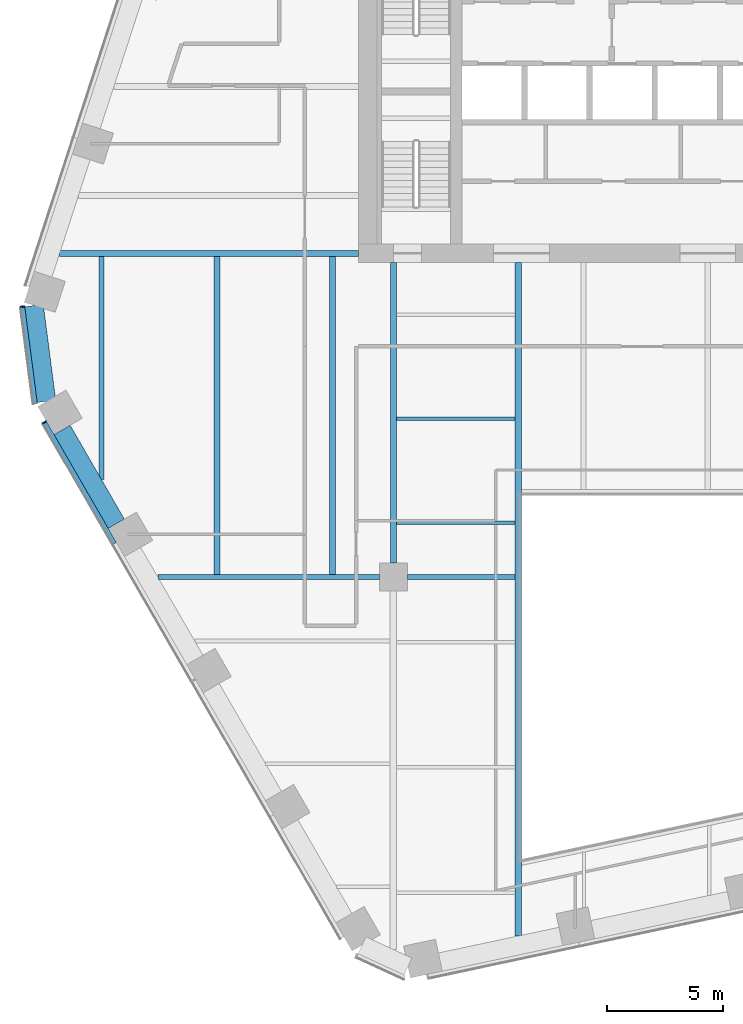
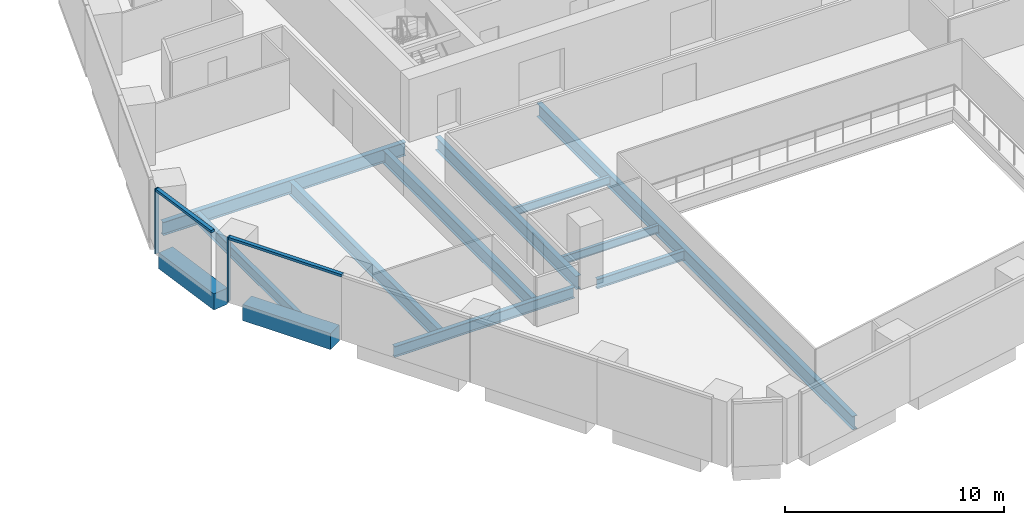
# One storey, part 3 of 16: 12 beams, 4 members, 2 elements without a shape of their own.
"""IFC4 building model written with IfcOpenShell, lengths in metres."""

from ifc_helpers import new_model, si_unit, direction, frame, origin, origin_2d, place, context, subcontext, project, spatial, rectangle, i_section, extrude, material, layer, layer_set, material_profile, profile_set, type_object, element, aggregate, save


model = new_model("IFC4")

# Units and contexts
model_context = context("Model", 3, precision=1e-05, world=origin(), true_north=direction((0.0, 1.0)))
body_context = subcontext(model_context, "Body", "Model", "MODEL_VIEW")
ifc_project = project(units=[si_unit("LENGTHUNIT", "METRE"), si_unit("AREAUNIT", "SQUARE_METRE"), si_unit("VOLUMEUNIT", "CUBIC_METRE"), si_unit("PLANEANGLEUNIT", "RADIAN"), si_unit("MASSUNIT", "GRAM", prefix="KILO")], contexts=[model_context])

# Site, building, storey
site_placement = place(None, origin())
site = spatial("IfcSite", under=ifc_project, at=site_placement, CompositionType="ELEMENT")
building_placement = place(site_placement, origin())
building = spatial("IfcBuilding", under=site, at=building_placement, Name="Isthmus Gate Tower", CompositionType="ELEMENT")
storey_placement = place(building_placement, frame((0.0, 0.0, 155.35009765625)))
storey = spatial("IfcBuildingStorey", under=building, at=storey_placement, Name="L38", CompositionType="ELEMENT", Elevation=155.35009765625)

# Curtain wall, member
ifc_material_1 = material(Name="Aluminium, pale champagne anodised", Category="aluminium")
ifc_layer = layer(ifc_material_1, 0.199951171875)
ifc_layer_set = layer_set([ifc_layer], Name="CW-1 UNITISED CURTAIN WALL 200 DEEP")
curtain_wall_type = type_object("IfcCurtainWallType", Name="CW-1 UNITISED CURTAIN WALL 200 DEEP", PredefinedType="NOTDEFINED", material=ifc_layer_set)
curtain_wall_1_placement = place(storey_placement, origin())
curtain_wall_1 = element("IfcCurtainWall", 1, at=curtain_wall_1_placement, inside=storey, type_object=curtain_wall_type, Name="CW-1 NW-SW L38", PredefinedType="NOTDEFINED")
ifc_material_2 = material(Name="Aluminium, pale champagne anodised", Category="aluminium")
ifc_material_profile_1 = material_profile(ifc_material_2, rectangle(XDim=0.06005859375, YDim=0.199951171875, at=origin_2d()), Name="60x200")
ifc_profile_set_1 = profile_set([ifc_material_profile_1], Name="Aluminium, pale champagne anodised")
member_type_1 = type_object("IfcMemberType", Name="CW-1 MULLION 60 X 200", PredefinedType="MULLION", material=ifc_profile_set_1)
member_1_placement = place(storey_placement, frame((-29.42724609375, -1.88525390625, 0.0), z_axis=(0.0, 0.0, 1.0), x_axis=(0.129164534, -0.991623175988, 0.0)))
member_1 = element("IfcMember", 2, at=member_1_placement, type_object=member_type_1, Name="CW-1 mullion", PredefinedType="MULLION", context=body_context, shape_type="SweptSolid", body=[
    extrude(rectangle(XDim=0.06005859375, YDim=0.199951171875, at=origin_2d()), origin(), (0.0, 0.0, 1.0), 3.64990234375),
])

curtain_wall_2_placement = place(storey_placement, origin())
curtain_wall_2 = element("IfcCurtainWall", 3, at=curtain_wall_2_placement, inside=storey, type_object=curtain_wall_type, Name="CW-1 SW L38", PredefinedType="NOTDEFINED")
member_2_placement = place(storey_placement, frame((-28.489501953125, -6.8544921875, 0.0), z_axis=(0.0, 0.0, 1.0), x_axis=(0.5, -0.866025403784, 0.0)))
member_2 = element("IfcMember", 4, at=member_2_placement, type_object=member_type_1, Name="CW-1 mullion", PredefinedType="MULLION", context=body_context, shape_type="SweptSolid", body=[
    extrude(rectangle(XDim=0.06005859375, YDim=0.199951171875, at=origin_2d()), origin(), (0.0, 0.0, 1.0), 3.64990234375),
])

# Member
ifc_material_3 = material(Name="Aluminium, pale champagne anodised", Category="aluminium")
ifc_material_profile_2 = material_profile(ifc_material_3, rectangle(XDim=0.199951171875, YDim=0.139892578125, at=origin_2d()), Name="200x140")
ifc_profile_set_2 = profile_set([ifc_material_profile_2], Name="Aluminium, pale champagne anodised")
member_type_2 = type_object("IfcMemberType", Name="CW-1 TRANSOM 200 X 140", PredefinedType="USERDEFINED", material=ifc_profile_set_2)
member_3_placement = place(storey_placement, frame((-29.42333984375, -1.9150390625, 3.579833984375), z_axis=(0.129149481977, -0.991625136483, 0.0), x_axis=(0.991625136483, 0.129149481977, 0.0)))
member_3 = element("IfcMember", 5, at=member_3_placement, type_object=member_type_2, Name="CW-1 transom", ObjectType="TRANSOM", PredefinedType="USERDEFINED", context=body_context, shape_type="SweptSolid", body=[
    extrude(rectangle(XDim=0.199951171875, YDim=0.139892578125, at=origin_2d()), origin(), (0.0, 0.0, 1.0), 4.181396484375),
])

aggregate(curtain_wall_1, [member_1, member_3])

member_4_placement = place(storey_placement, frame((-28.474609375, -6.880615234375, 3.579833984375), z_axis=(0.500014106551, -0.86601725921, 0.0), x_axis=(0.86601725921, 0.500014106551, 0.0)))
member_4 = element("IfcMember", 6, at=member_4_placement, type_object=member_type_2, Name="CW-1 transom", ObjectType="TRANSOM", PredefinedType="USERDEFINED", context=body_context, shape_type="SweptSolid", body=[
    extrude(rectangle(XDim=0.199951171875, YDim=0.139892578125, at=origin_2d()), origin(), (0.0, 0.0, 1.0), 5.989990234375),
])

aggregate(curtain_wall_2, [member_2, member_4])

# Beams
ifc_material_4 = material(Name="Concrete f'c 60 MPa", Category="concrete")
ifc_material_profile_3 = material_profile(ifc_material_4, rectangle(XDim=0.800048828125, YDim=0.89990234375, at=origin_2d()), Name="RC 800X900")
ifc_profile_set_3 = profile_set([ifc_material_profile_3], Name="Concrete f'c 60 MPa")
beam_type_1 = type_object("IfcBeamType", Name="RC SPANDREL 800 X 900", PredefinedType="SPANDREL", material=ifc_profile_set_3)
beam_1_placement = place(storey_placement, frame((-25.396484375, -11.2119140625, -0.4501953125), z_axis=(-0.500023913295, 0.866011596997, 0.0), x_axis=(-0.866011596997, -0.500023913295, 0.0)))
element("IfcBeam", 7, at=beam_1_placement, inside=storey, type_object=beam_type_1, Name="str-spandrel-L38-19", PredefinedType="SPANDREL", context=body_context, shape_type="SweptSolid", body=[
    extrude(rectangle(XDim=0.800048828125, YDim=0.89990234375, at=origin_2d()), origin(), (0.0, 0.0, 1.0), 4.650146484375),
])
beam_2_placement = place(storey_placement, frame((-28.392822265625, -5.955810546875, -0.4501953125), z_axis=(-0.129170777359, 0.991622362735, 0.0), x_axis=(-0.991622362735, -0.129170777359, 0.0)))
element("IfcBeam", 8, at=beam_2_placement, inside=storey, type_object=beam_type_1, Name="str-spandrel-L38-20", PredefinedType="SPANDREL", context=body_context, shape_type="SweptSolid", body=[
    extrude(rectangle(XDim=0.800048828125, YDim=0.89990234375, at=origin_2d()), origin(), (0.0, 0.0, 1.0), 4.15234375),
])
ifc_material_5 = material(Name="Structural steel ASTM A992 Gr 50", Category="steel")
ifc_material_profile_4 = material_profile(ifc_material_5, i_section(OverallWidth=0.15234375, OverallDepth=0.45068359375, WebThickness=0.0078125, FlangeThickness=0.010986328125, at=origin_2d()), Name="W18X35")
ifc_profile_set_4 = profile_set([ifc_material_profile_4], Name="Structural steel ASTM A992 Gr 50")
beam_type_2 = type_object("IfcBeamType", Name="STEEL FLOOR BEAM W18X35", PredefinedType="JOIST", material=ifc_profile_set_4)
for number, where, z_axis, x_axis, name in (
    (9, (-13.3681640625, -11.16259765625, -0.37548828125), (1.0, 0.0, 0.0), (0.0, 1.0, 0.0), "str-beam-L38-04-00"),
    (10, (-13.3681640625, -6.697509765625, -0.37548828125), (1.0, 0.0, 0.0), (0.0, 1.0, 0.0), "str-beam-L38-04-01"),
):
    element("IfcBeam", number, at=place(storey_placement, frame(where, z_axis=z_axis, x_axis=x_axis)), inside=storey, type_object=beam_type_2, Name=name, PredefinedType="JOIST", context=body_context, shape_type="SweptSolid", body=[
        extrude(i_section(OverallWidth=0.15234375, OverallDepth=0.45068359375, WebThickness=0.0078125, FlangeThickness=0.010986328125, at=origin_2d()), origin(), (0.0, 0.0, 1.0), 5.1015625),
    ])
ifc_material_6 = material(Name="Structural steel ASTM A992 Gr 50", Category="steel")
ifc_material_profile_5 = material_profile(ifc_material_6, i_section(OverallWidth=0.228515625, OverallDepth=0.603271484375, WebThickness=0.010986328125, FlangeThickness=0.014404296875, at=origin_2d()), Name="W24X68")
ifc_profile_set_5 = profile_set([ifc_material_profile_5], Name="Structural steel ASTM A992 Gr 50")
beam_type_3 = type_object("IfcBeamType", Name="STEEL FLOOR BEAM W24X68", PredefinedType="JOIST", material=ifc_profile_set_5)
beam_3_placement = place(storey_placement, frame((-26.028564453125, -9.317138671875, -0.45166015625), z_axis=(0.0, 1.0, 0.0), x_axis=(-1.0, 0.0, 0.0)))
element("IfcBeam", 11, at=beam_3_placement, inside=storey, type_object=beam_type_3, Name="str-beam-L38-00-00", PredefinedType="JOIST", context=body_context, shape_type="SweptSolid", body=[
    extrude(i_section(OverallWidth=0.228515625, OverallDepth=0.603271484375, WebThickness=0.010986328125, FlangeThickness=0.014404296875, at=origin_2d()), origin(), (0.0, 0.0, 1.0), 9.58544921875),
])
ifc_material_7 = material(Name="Structural steel ASTM A992 Gr 50", Category="steel")
ifc_material_profile_6 = material_profile(ifc_material_7, i_section(OverallWidth=0.263427734375, OverallDepth=0.749267578125, WebThickness=0.0126953125, FlangeThickness=0.015869140625, at=origin_2d()), Name="W30X90")
ifc_profile_set_6 = profile_set([ifc_material_profile_6], Name="Structural steel ASTM A992 Gr 50")
beam_type_4 = type_object("IfcBeamType", Name="STEEL FLOOR BEAM W30X90", PredefinedType="JOIST", material=ifc_profile_set_6)
for number, where, z_axis, x_axis, name in (
    (12, (-21.06982421875, -13.3857421875, -0.524658203125), (0.0, 1.0, 0.0), (-1.0, 0.0, 0.0), "str-beam-L38-00-01"),
    (13, (-16.111083984375, -13.3857421875, -0.524658203125), (0.0, 1.0, 0.0), (-1.0, 0.0, 0.0), "str-beam-L38-00-02"),
):
    element("IfcBeam", number, at=place(storey_placement, frame(where, z_axis=z_axis, x_axis=x_axis)), inside=storey, type_object=beam_type_4, Name=name, PredefinedType="JOIST", context=body_context, shape_type="SweptSolid", body=[
        extrude(i_section(OverallWidth=0.263427734375, OverallDepth=0.749267578125, WebThickness=0.0126953125, FlangeThickness=0.015869140625, at=origin_2d()), origin(), (0.0, 0.0, 1.0), 13.654052734375),
    ])
ifc_material_8 = material(Name="Structural steel ASTM A992 Gr 50", Category="steel")
ifc_material_profile_7 = material_profile(ifc_material_8, i_section(OverallWidth=0.20947265625, OverallDepth=0.533447265625, WebThickness=0.009521484375, FlangeThickness=0.015869140625, at=origin_2d()), Name="W21X62")
ifc_profile_set_7 = profile_set([ifc_material_profile_7], Name="Structural steel ASTM A992 Gr 50")
beam_type_5 = type_object("IfcBeamType", Name="STEEL GIRDER W21X62", PredefinedType="BEAM", material=ifc_profile_set_7)
beam_4_placement = place(storey_placement, frame((-12.89990234375, -13.5, -0.416748046875), z_axis=(1.0, 0.0, 0.0), x_axis=(0.0, 1.0, 0.0)))
element("IfcBeam", 14, at=beam_4_placement, inside=storey, type_object=beam_type_5, Name="str-girder-L38-02", PredefinedType="BEAM", context=body_context, shape_type="SweptSolid", body=[
    extrude(i_section(OverallWidth=0.20947265625, OverallDepth=0.533447265625, WebThickness=0.009521484375, FlangeThickness=0.015869140625, at=origin_2d()), origin(), (0.0, 0.0, 1.0), 4.63330078125),
])
ifc_material_9 = material(Name="Structural steel ASTM A992 Gr 50", Category="steel")
ifc_material_profile_8 = material_profile(ifc_material_9, i_section(OverallWidth=0.228515625, OverallDepth=0.6064453125, WebThickness=0.010986328125, FlangeThickness=0.017578125, at=origin_2d()), Name="W24X76")
ifc_profile_set_8 = profile_set([ifc_material_profile_8], Name="Structural steel ASTM A992 Gr 50")
beam_type_6 = type_object("IfcBeamType", Name="STEEL GIRDER W24X76", PredefinedType="BEAM", material=ifc_profile_set_8)
beam_5_placement = place(storey_placement, frame((-23.613525390625, -13.5, -0.453369140625), z_axis=(1.0, 0.0, 0.0), x_axis=(0.0, 1.0, 0.0)))
element("IfcBeam", 15, at=beam_5_placement, inside=storey, type_object=beam_type_6, Name="str-girder-L38-01", PredefinedType="BEAM", context=body_context, shape_type="SweptSolid", body=[
    extrude(i_section(OverallWidth=0.228515625, OverallDepth=0.6064453125, WebThickness=0.010986328125, FlangeThickness=0.017578125, at=origin_2d()), origin(), (0.0, 0.0, 1.0), 9.513427734375),
])
ifc_material_10 = material(Name="Structural steel ASTM A992 Gr 50", Category="steel")
ifc_material_profile_9 = material_profile(ifc_material_10, i_section(OverallWidth=0.263427734375, OverallDepth=0.749267578125, WebThickness=0.0126953125, FlangeThickness=0.015869140625, at=origin_2d()), Name="W30X90")
ifc_profile_set_9 = profile_set([ifc_material_profile_9], Name="Structural steel ASTM A992 Gr 50")
beam_type_7 = type_object("IfcBeamType", Name="STEEL GIRDER W30X90", PredefinedType="BEAM", material=ifc_profile_set_9)
beam_6_placement = place(storey_placement, frame((-13.5, -12.89990234375, -0.524658203125), z_axis=(0.0, 1.0, 0.0), x_axis=(-1.0, 0.0, 0.0)))
element("IfcBeam", 16, at=beam_6_placement, inside=storey, type_object=beam_type_7, Name="str-girder-L38-08", PredefinedType="BEAM", context=body_context, shape_type="SweptSolid", body=[
    extrude(i_section(OverallWidth=0.263427734375, OverallDepth=0.749267578125, WebThickness=0.0126953125, FlangeThickness=0.015869140625, at=origin_2d()), origin(), (0.0, 0.0, 1.0), 12.89990234375),
])
beam_7_placement = place(storey_placement, frame((-15.0, 0.39990234375, -0.524658203125), z_axis=(-1.0, 0.0, 0.0), x_axis=(0.0, -1.0, 0.0)))
element("IfcBeam", 17, at=beam_7_placement, inside=storey, type_object=beam_type_7, Name="str-girder-L38-13", PredefinedType="BEAM", context=body_context, shape_type="SweptSolid", body=[
    extrude(i_section(OverallWidth=0.263427734375, OverallDepth=0.749267578125, WebThickness=0.0126953125, FlangeThickness=0.015869140625, at=origin_2d()), origin(), (0.0, 0.0, 1.0), 12.826416015625),
])
ifc_material_11 = material(Name="Structural steel ASTM A992 Gr 50", Category="steel")
ifc_material_profile_10 = material_profile(ifc_material_11, i_section(OverallWidth=0.2666015625, OverallDepth=0.7587890625, WebThickness=0.014404296875, FlangeThickness=0.01904296875, at=origin_2d()), Name="W30X108")
ifc_profile_set_10 = profile_set([ifc_material_profile_10], Name="Structural steel ASTM A992 Gr 50")
beam_type_8 = type_object("IfcBeamType", Name="STEEL TRIMMER W30X108", PredefinedType="BEAM", material=ifc_profile_set_10)
beam_8_placement = place(storey_placement, frame((-8.13330078125, 0.0, -0.529541015625), z_axis=(0.0, -1.0, 0.0), x_axis=(1.0, 0.0, 0.0)))
element("IfcBeam", 18, at=beam_8_placement, inside=storey, type_object=beam_type_8, Name="str-trimmer-L38-02", PredefinedType="BEAM", context=body_context, shape_type="SweptSolid", body=[
    extrude(i_section(OverallWidth=0.2666015625, OverallDepth=0.7587890625, WebThickness=0.014404296875, FlangeThickness=0.01904296875, at=origin_2d()), origin(), (0.0, 0.0, 1.0), 28.910888671875),
])

save(model, "model.ifc")
